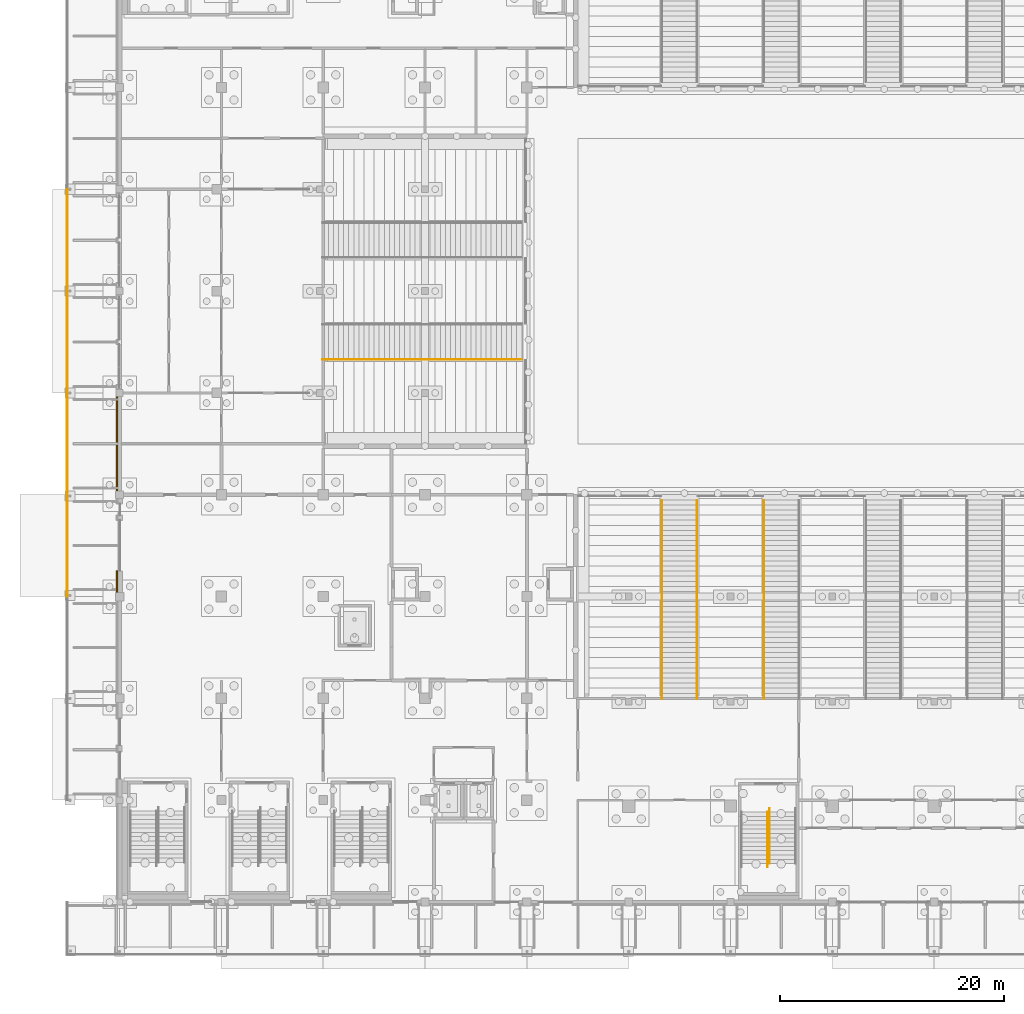
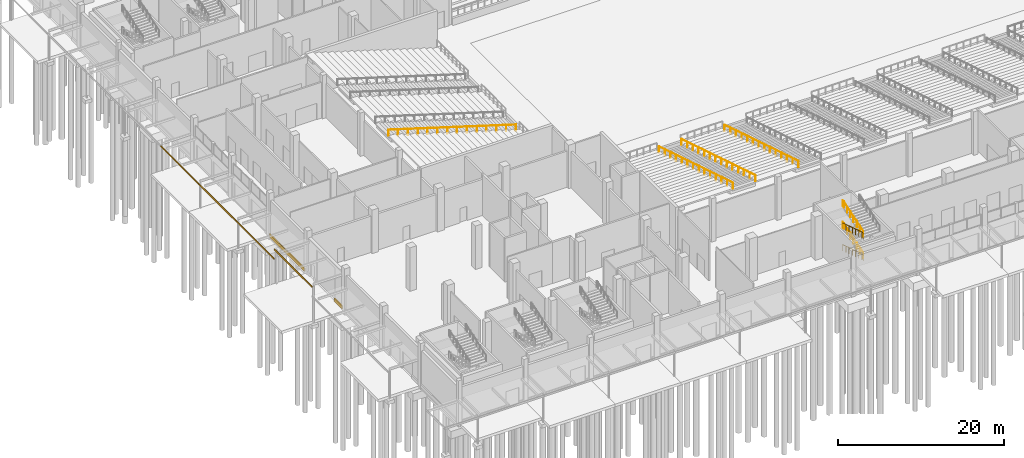
# One storey, part 103 of 129: 8 railings, 6 coverings.
"""IFC4 building model written with IfcOpenShell, lengths in metres."""

from ifc_helpers import new_model, si_unit, direction, frame, origin, origin_2d, place, context, subcontext, project, spatial, rectangle, circle, extrude, material, layer, layer_set, type_object, element, save


model = new_model("IFC4")

# Units and contexts
model_context = context("Model", 3, precision=1e-05, world=origin(), true_north=direction((0.0, 1.0)))
body_context = subcontext(model_context, "Body", "Model", "MODEL_VIEW")
ifc_project = project(units=[si_unit("LENGTHUNIT", "METRE"), si_unit("AREAUNIT", "SQUARE_METRE"), si_unit("VOLUMEUNIT", "CUBIC_METRE"), si_unit("PLANEANGLEUNIT", "RADIAN"), si_unit("MASSUNIT", "GRAM", prefix="KILO")], contexts=[model_context])

# Site, building, storey
site_placement = place(None, origin())
site = spatial("IfcSite", under=ifc_project, at=site_placement, CompositionType="ELEMENT")
building_placement = place(site_placement, origin())
building = spatial("IfcBuilding", under=site, at=building_placement, Name="Shirokan Park Arena", CompositionType="ELEMENT")
storey_placement = place(building_placement, origin())
storey = spatial("IfcBuildingStorey", under=building, at=storey_placement, Name="L00", CompositionType="ELEMENT", Elevation=0.0)

# Railings
ifc_material_1 = material(Name="Stainless steel", Category="steel")
railing_type_1 = type_object("IfcRailingType", Name="Aisle handrail 900", PredefinedType="HANDRAIL", material=ifc_material_1)
railing_1_placement = place(storey_placement, frame((48.489990234375, 35.89501953125, 0.909912109375)))
element("IfcRailing", 1, at=railing_1_placement, inside=storey, type_object=railing_type_1, Name="Handrail vomitory stair S1 lower", PredefinedType="HANDRAIL", context=body_context, shape_type="SweptSolid", body=[
    extrude(circle(Radius=0.02490234375, at=origin_2d()), frame((0.0, 0.0, 0.89013671875), z_axis=(0.0, -0.955745737905, 0.294193957241), x_axis=(1.0, 0.0, 0.0)), (0.0, 0.0, 1.0), 1.42822265625),
    extrude(circle(Radius=0.02490234375, at=origin_2d()), frame((0.0, -1.364990234375, 1.310546875), z_axis=(0.0, -0.95579379257, 0.294037797035), x_axis=(1.0, 0.0, 0.0)), (0.0, 0.0, 1.0), 1.42822265625),
    extrude(circle(Radius=0.02490234375, at=origin_2d()), frame((0.0, -2.72998046875, 1.73046875), z_axis=(0.0, -0.95579379257, 0.294037797035), x_axis=(1.0, 0.0, 0.0)), (0.0, 0.0, 1.0), 1.42822265625),
    extrude(circle(Radius=0.02490234375, at=origin_2d()), frame((0.0, -4.094970703125, 2.150390625), z_axis=(0.0, -0.955745737905, 0.294193957241), x_axis=(1.0, 0.0, 0.0)), (0.0, 0.0, 1.0), 1.42822265625),
    extrude(circle(Radius=0.02490234375, at=origin_2d()), frame((0.0, -5.4599609375, 2.5703125), z_axis=(0.0, -0.95579379257, 0.294037797035), x_axis=(1.0, 0.0, 0.0)), (0.0, 0.0, 1.0), 1.42822265625),
    extrude(circle(Radius=0.02490234375, at=origin_2d()), frame((0.0, -6.824951171875, 2.990234375), z_axis=(0.0, -0.95579379257, 0.294037797035), x_axis=(1.0, 0.0, 0.0)), (0.0, 0.0, 1.0), 1.42822265625),
    extrude(circle(Radius=0.02490234375, at=origin_2d()), frame((0.0, -8.18994140625, 3.41015625), z_axis=(0.0, -0.955745737905, 0.294193957241), x_axis=(1.0, 0.0, 0.0)), (0.0, 0.0, 1.0), 1.42822265625),
    extrude(circle(Radius=0.02490234375, at=origin_2d()), frame((0.0, -9.554931640625, 3.83056640625), z_axis=(0.0, -0.95579379257, 0.294037797035), x_axis=(1.0, 0.0, 0.0)), (0.0, 0.0, 1.0), 1.42822265625),
    extrude(circle(Radius=0.02490234375, at=origin_2d()), frame((0.0, -10.919921875, 4.25048828125), z_axis=(0.0, -0.95579379257, 0.294037797035), x_axis=(1.0, 0.0, 0.0)), (0.0, 0.0, 1.0), 1.42822265625),
    extrude(circle(Radius=0.02490234375, at=origin_2d()), frame((0.0, -12.284912109375, 4.67041015625), z_axis=(0.0, -0.955745737905, 0.294193957241), x_axis=(1.0, 0.0, 0.0)), (0.0, 0.0, 1.0), 1.42822265625),
    extrude(circle(Radius=0.02490234375, at=origin_2d()), frame((0.0, -13.64990234375, 5.09033203125), z_axis=(0.0, -0.955808569173, 0.293989760189), x_axis=(1.0, 0.0, 0.0)), (0.0, 0.0, 1.0), 1.428466796875),
    extrude(circle(Radius=0.02490234375, at=origin_2d()), frame((0.0, -15.01513671875, 5.51025390625), z_axis=(0.0, -0.95579379257, 0.294037797035), x_axis=(1.0, 0.0, 0.0)), (0.0, 0.0, 1.0), 1.42822265625),
    extrude(circle(Radius=0.02490234375, at=origin_2d()), frame((0.0, -16.380126953125, 5.93017578125), z_axis=(0.0, -0.955745737905, 0.294193957241), x_axis=(1.0, 0.0, 0.0)), (0.0, 0.0, 1.0), 1.42822265625),
    extrude(circle(Radius=0.02490234375, at=origin_2d()), origin(), (0.0, 0.0, 1.0), 0.865234375),
    extrude(circle(Radius=0.02490234375, at=origin_2d()), frame((0.0, -1.364990234375, 0.420166015625)), (0.0, 0.0, 1.0), 0.865234375),
    extrude(circle(Radius=0.02490234375, at=origin_2d()), frame((0.0, -2.72998046875, 0.840087890625)), (0.0, 0.0, 1.0), 0.865234375),
    extrude(circle(Radius=0.02490234375, at=origin_2d()), frame((0.0, -4.094970703125, 1.260009765625)), (0.0, 0.0, 1.0), 0.865234375),
    extrude(circle(Radius=0.02490234375, at=origin_2d()), frame((0.0, -5.4599609375, 1.68017578125)), (0.0, 0.0, 1.0), 0.865234375),
    extrude(circle(Radius=0.02490234375, at=origin_2d()), frame((0.0, -6.824951171875, 2.10009765625)), (0.0, 0.0, 1.0), 0.865234375),
    extrude(circle(Radius=0.02490234375, at=origin_2d()), frame((0.0, -8.18994140625, 2.52001953125)), (0.0, 0.0, 1.0), 0.865234375),
    extrude(circle(Radius=0.02490234375, at=origin_2d()), frame((0.0, -9.554931640625, 2.940185546875)), (0.0, 0.0, 1.0), 0.865234375),
    extrude(circle(Radius=0.02490234375, at=origin_2d()), frame((0.0, -10.919921875, 3.360107421875)), (0.0, 0.0, 1.0), 0.865234375),
    extrude(circle(Radius=0.02490234375, at=origin_2d()), frame((0.0, -12.284912109375, 3.780029296875)), (0.0, 0.0, 1.0), 0.865234375),
    extrude(circle(Radius=0.02490234375, at=origin_2d()), frame((0.0, -13.64990234375, 4.2001953125)), (0.0, 0.0, 1.0), 0.865234375),
    extrude(circle(Radius=0.02490234375, at=origin_2d()), frame((0.0, -15.01513671875, 4.6201171875)), (0.0, 0.0, 1.0), 0.865234375),
    extrude(circle(Radius=0.02490234375, at=origin_2d()), frame((0.0, -16.380126953125, 5.0400390625)), (0.0, 0.0, 1.0), 0.865234375),
    extrude(circle(Radius=0.02490234375, at=origin_2d()), frame((0.0, -17.7451171875, 5.460205078125)), (0.0, 0.0, 1.0), 0.865234375),
])
railing_2_placement = place(storey_placement, frame((51.610107421875, 35.89501953125, 0.909912109375)))
element("IfcRailing", 2, at=railing_2_placement, inside=storey, type_object=railing_type_1, Name="Handrail vomitory stair S1 lower", PredefinedType="HANDRAIL", context=body_context, shape_type="SweptSolid", body=[
    extrude(circle(Radius=0.02490234375, at=origin_2d()), frame((0.0, 0.0, 0.89013671875), z_axis=(0.0, -0.955745737905, 0.294193957241), x_axis=(1.0, 0.0, 0.0)), (0.0, 0.0, 1.0), 1.42822265625),
    extrude(circle(Radius=0.02490234375, at=origin_2d()), frame((0.0, -1.364990234375, 1.310546875), z_axis=(0.0, -0.95579379257, 0.294037797035), x_axis=(1.0, 0.0, 0.0)), (0.0, 0.0, 1.0), 1.42822265625),
    extrude(circle(Radius=0.02490234375, at=origin_2d()), frame((0.0, -2.72998046875, 1.73046875), z_axis=(0.0, -0.95579379257, 0.294037797035), x_axis=(1.0, 0.0, 0.0)), (0.0, 0.0, 1.0), 1.42822265625),
    extrude(circle(Radius=0.02490234375, at=origin_2d()), frame((0.0, -4.094970703125, 2.150390625), z_axis=(0.0, -0.955745737905, 0.294193957241), x_axis=(1.0, 0.0, 0.0)), (0.0, 0.0, 1.0), 1.42822265625),
    extrude(circle(Radius=0.02490234375, at=origin_2d()), frame((0.0, -5.4599609375, 2.5703125), z_axis=(0.0, -0.95579379257, 0.294037797035), x_axis=(1.0, 0.0, 0.0)), (0.0, 0.0, 1.0), 1.42822265625),
    extrude(circle(Radius=0.02490234375, at=origin_2d()), frame((0.0, -6.824951171875, 2.990234375), z_axis=(0.0, -0.95579379257, 0.294037797035), x_axis=(1.0, 0.0, 0.0)), (0.0, 0.0, 1.0), 1.42822265625),
    extrude(circle(Radius=0.02490234375, at=origin_2d()), frame((0.0, -8.18994140625, 3.41015625), z_axis=(0.0, -0.955745737905, 0.294193957241), x_axis=(1.0, 0.0, 0.0)), (0.0, 0.0, 1.0), 1.42822265625),
    extrude(circle(Radius=0.02490234375, at=origin_2d()), frame((0.0, -9.554931640625, 3.83056640625), z_axis=(0.0, -0.95579379257, 0.294037797035), x_axis=(1.0, 0.0, 0.0)), (0.0, 0.0, 1.0), 1.42822265625),
    extrude(circle(Radius=0.02490234375, at=origin_2d()), frame((0.0, -10.919921875, 4.25048828125), z_axis=(0.0, -0.95579379257, 0.294037797035), x_axis=(1.0, 0.0, 0.0)), (0.0, 0.0, 1.0), 1.42822265625),
    extrude(circle(Radius=0.02490234375, at=origin_2d()), frame((0.0, -12.284912109375, 4.67041015625), z_axis=(0.0, -0.955745737905, 0.294193957241), x_axis=(1.0, 0.0, 0.0)), (0.0, 0.0, 1.0), 1.42822265625),
    extrude(circle(Radius=0.02490234375, at=origin_2d()), frame((0.0, -13.64990234375, 5.09033203125), z_axis=(0.0, -0.955808569173, 0.293989760189), x_axis=(1.0, 0.0, 0.0)), (0.0, 0.0, 1.0), 1.428466796875),
    extrude(circle(Radius=0.02490234375, at=origin_2d()), frame((0.0, -15.01513671875, 5.51025390625), z_axis=(0.0, -0.95579379257, 0.294037797035), x_axis=(1.0, 0.0, 0.0)), (0.0, 0.0, 1.0), 1.42822265625),
    extrude(circle(Radius=0.02490234375, at=origin_2d()), frame((0.0, -16.380126953125, 5.93017578125), z_axis=(0.0, -0.955745737905, 0.294193957241), x_axis=(1.0, 0.0, 0.0)), (0.0, 0.0, 1.0), 1.42822265625),
    extrude(circle(Radius=0.02490234375, at=origin_2d()), origin(), (0.0, 0.0, 1.0), 0.865234375),
    extrude(circle(Radius=0.02490234375, at=origin_2d()), frame((0.0, -1.364990234375, 0.420166015625)), (0.0, 0.0, 1.0), 0.865234375),
    extrude(circle(Radius=0.02490234375, at=origin_2d()), frame((0.0, -2.72998046875, 0.840087890625)), (0.0, 0.0, 1.0), 0.865234375),
    extrude(circle(Radius=0.02490234375, at=origin_2d()), frame((0.0, -4.094970703125, 1.260009765625)), (0.0, 0.0, 1.0), 0.865234375),
    extrude(circle(Radius=0.02490234375, at=origin_2d()), frame((0.0, -5.4599609375, 1.68017578125)), (0.0, 0.0, 1.0), 0.865234375),
    extrude(circle(Radius=0.02490234375, at=origin_2d()), frame((0.0, -6.824951171875, 2.10009765625)), (0.0, 0.0, 1.0), 0.865234375),
    extrude(circle(Radius=0.02490234375, at=origin_2d()), frame((0.0, -8.18994140625, 2.52001953125)), (0.0, 0.0, 1.0), 0.865234375),
    extrude(circle(Radius=0.02490234375, at=origin_2d()), frame((0.0, -9.554931640625, 2.940185546875)), (0.0, 0.0, 1.0), 0.865234375),
    extrude(circle(Radius=0.02490234375, at=origin_2d()), frame((0.0, -10.919921875, 3.360107421875)), (0.0, 0.0, 1.0), 0.865234375),
    extrude(circle(Radius=0.02490234375, at=origin_2d()), frame((0.0, -12.284912109375, 3.780029296875)), (0.0, 0.0, 1.0), 0.865234375),
    extrude(circle(Radius=0.02490234375, at=origin_2d()), frame((0.0, -13.64990234375, 4.2001953125)), (0.0, 0.0, 1.0), 0.865234375),
    extrude(circle(Radius=0.02490234375, at=origin_2d()), frame((0.0, -15.01513671875, 4.6201171875)), (0.0, 0.0, 1.0), 0.865234375),
    extrude(circle(Radius=0.02490234375, at=origin_2d()), frame((0.0, -16.380126953125, 5.0400390625)), (0.0, 0.0, 1.0), 0.865234375),
    extrude(circle(Radius=0.02490234375, at=origin_2d()), frame((0.0, -17.7451171875, 5.460205078125)), (0.0, 0.0, 1.0), 0.865234375),
])
railing_3_placement = place(storey_placement, frame((57.590087890625, 35.89501953125, 0.909912109375)))
element("IfcRailing", 3, at=railing_3_placement, inside=storey, type_object=railing_type_1, Name="Handrail vomitory stair S2 lower", PredefinedType="HANDRAIL", context=body_context, shape_type="SweptSolid", body=[
    extrude(circle(Radius=0.02490234375, at=origin_2d()), frame((0.0, 0.0, 0.89013671875), z_axis=(0.0, -0.955745737905, 0.294193957241), x_axis=(1.0, 0.0, 0.0)), (0.0, 0.0, 1.0), 1.42822265625),
    extrude(circle(Radius=0.02490234375, at=origin_2d()), frame((0.0, -1.364990234375, 1.310546875), z_axis=(0.0, -0.95579379257, 0.294037797035), x_axis=(1.0, 0.0, 0.0)), (0.0, 0.0, 1.0), 1.42822265625),
    extrude(circle(Radius=0.02490234375, at=origin_2d()), frame((0.0, -2.72998046875, 1.73046875), z_axis=(0.0, -0.95579379257, 0.294037797035), x_axis=(1.0, 0.0, 0.0)), (0.0, 0.0, 1.0), 1.42822265625),
    extrude(circle(Radius=0.02490234375, at=origin_2d()), frame((0.0, -4.094970703125, 2.150390625), z_axis=(0.0, -0.955745737905, 0.294193957241), x_axis=(1.0, 0.0, 0.0)), (0.0, 0.0, 1.0), 1.42822265625),
    extrude(circle(Radius=0.02490234375, at=origin_2d()), frame((0.0, -5.4599609375, 2.5703125), z_axis=(0.0, -0.95579379257, 0.294037797035), x_axis=(1.0, 0.0, 0.0)), (0.0, 0.0, 1.0), 1.42822265625),
    extrude(circle(Radius=0.02490234375, at=origin_2d()), frame((0.0, -6.824951171875, 2.990234375), z_axis=(0.0, -0.95579379257, 0.294037797035), x_axis=(1.0, 0.0, 0.0)), (0.0, 0.0, 1.0), 1.42822265625),
    extrude(circle(Radius=0.02490234375, at=origin_2d()), frame((0.0, -8.18994140625, 3.41015625), z_axis=(0.0, -0.955745737905, 0.294193957241), x_axis=(1.0, 0.0, 0.0)), (0.0, 0.0, 1.0), 1.42822265625),
    extrude(circle(Radius=0.02490234375, at=origin_2d()), frame((0.0, -9.554931640625, 3.83056640625), z_axis=(0.0, -0.95579379257, 0.294037797035), x_axis=(1.0, 0.0, 0.0)), (0.0, 0.0, 1.0), 1.42822265625),
    extrude(circle(Radius=0.02490234375, at=origin_2d()), frame((0.0, -10.919921875, 4.25048828125), z_axis=(0.0, -0.95579379257, 0.294037797035), x_axis=(1.0, 0.0, 0.0)), (0.0, 0.0, 1.0), 1.42822265625),
    extrude(circle(Radius=0.02490234375, at=origin_2d()), frame((0.0, -12.284912109375, 4.67041015625), z_axis=(0.0, -0.955745737905, 0.294193957241), x_axis=(1.0, 0.0, 0.0)), (0.0, 0.0, 1.0), 1.42822265625),
    extrude(circle(Radius=0.02490234375, at=origin_2d()), frame((0.0, -13.64990234375, 5.09033203125), z_axis=(0.0, -0.955808569173, 0.293989760189), x_axis=(1.0, 0.0, 0.0)), (0.0, 0.0, 1.0), 1.428466796875),
    extrude(circle(Radius=0.02490234375, at=origin_2d()), frame((0.0, -15.01513671875, 5.51025390625), z_axis=(0.0, -0.95579379257, 0.294037797035), x_axis=(1.0, 0.0, 0.0)), (0.0, 0.0, 1.0), 1.42822265625),
    extrude(circle(Radius=0.02490234375, at=origin_2d()), frame((0.0, -16.380126953125, 5.93017578125), z_axis=(0.0, -0.955745737905, 0.294193957241), x_axis=(1.0, 0.0, 0.0)), (0.0, 0.0, 1.0), 1.42822265625),
    extrude(circle(Radius=0.02490234375, at=origin_2d()), origin(), (0.0, 0.0, 1.0), 0.865234375),
    extrude(circle(Radius=0.02490234375, at=origin_2d()), frame((0.0, -1.364990234375, 0.420166015625)), (0.0, 0.0, 1.0), 0.865234375),
    extrude(circle(Radius=0.02490234375, at=origin_2d()), frame((0.0, -2.72998046875, 0.840087890625)), (0.0, 0.0, 1.0), 0.865234375),
    extrude(circle(Radius=0.02490234375, at=origin_2d()), frame((0.0, -4.094970703125, 1.260009765625)), (0.0, 0.0, 1.0), 0.865234375),
    extrude(circle(Radius=0.02490234375, at=origin_2d()), frame((0.0, -5.4599609375, 1.68017578125)), (0.0, 0.0, 1.0), 0.865234375),
    extrude(circle(Radius=0.02490234375, at=origin_2d()), frame((0.0, -6.824951171875, 2.10009765625)), (0.0, 0.0, 1.0), 0.865234375),
    extrude(circle(Radius=0.02490234375, at=origin_2d()), frame((0.0, -8.18994140625, 2.52001953125)), (0.0, 0.0, 1.0), 0.865234375),
    extrude(circle(Radius=0.02490234375, at=origin_2d()), frame((0.0, -9.554931640625, 2.940185546875)), (0.0, 0.0, 1.0), 0.865234375),
    extrude(circle(Radius=0.02490234375, at=origin_2d()), frame((0.0, -10.919921875, 3.360107421875)), (0.0, 0.0, 1.0), 0.865234375),
    extrude(circle(Radius=0.02490234375, at=origin_2d()), frame((0.0, -12.284912109375, 3.780029296875)), (0.0, 0.0, 1.0), 0.865234375),
    extrude(circle(Radius=0.02490234375, at=origin_2d()), frame((0.0, -13.64990234375, 4.2001953125)), (0.0, 0.0, 1.0), 0.865234375),
    extrude(circle(Radius=0.02490234375, at=origin_2d()), frame((0.0, -15.01513671875, 4.6201171875)), (0.0, 0.0, 1.0), 0.865234375),
    extrude(circle(Radius=0.02490234375, at=origin_2d()), frame((0.0, -16.380126953125, 5.0400390625)), (0.0, 0.0, 1.0), 0.865234375),
    extrude(circle(Radius=0.02490234375, at=origin_2d()), frame((0.0, -17.7451171875, 5.460205078125)), (0.0, 0.0, 1.0), 0.865234375),
])
railing_4_placement = place(storey_placement, frame((35.89501953125, 48.489990234375, 0.909912109375)))
element("IfcRailing", 4, at=railing_4_placement, inside=storey, type_object=railing_type_1, Name="Handrail vomitory stair W1 lower", PredefinedType="HANDRAIL", context=body_context, shape_type="SweptSolid", body=[
    extrude(circle(Radius=0.02490234375, at=origin_2d()), frame((0.0, 0.0, 0.89013671875), z_axis=(-0.955745737905, 0.0, 0.294193957241), x_axis=(0.0, -1.0, 0.0)), (0.0, 0.0, 1.0), 1.42822265625),
    extrude(circle(Radius=0.02490234375, at=origin_2d()), frame((-1.364990234375, 0.0, 1.310546875), z_axis=(-0.95579379257, 0.0, 0.294037797035), x_axis=(0.0, -1.0, 0.0)), (0.0, 0.0, 1.0), 1.42822265625),
    extrude(circle(Radius=0.02490234375, at=origin_2d()), frame((-2.72998046875, 0.0, 1.73046875), z_axis=(-0.95579379257, 0.0, 0.294037797035), x_axis=(0.0, -1.0, 0.0)), (0.0, 0.0, 1.0), 1.42822265625),
    extrude(circle(Radius=0.02490234375, at=origin_2d()), frame((-4.094970703125, 0.0, 2.150390625), z_axis=(-0.955745737905, 0.0, 0.294193957241), x_axis=(0.0, -1.0, 0.0)), (0.0, 0.0, 1.0), 1.42822265625),
    extrude(circle(Radius=0.02490234375, at=origin_2d()), frame((-5.4599609375, 0.0, 2.5703125), z_axis=(-0.95579379257, 0.0, 0.294037797035), x_axis=(0.0, -1.0, 0.0)), (0.0, 0.0, 1.0), 1.42822265625),
    extrude(circle(Radius=0.02490234375, at=origin_2d()), frame((-6.824951171875, 0.0, 2.990234375), z_axis=(-0.95579379257, 0.0, 0.294037797035), x_axis=(0.0, -1.0, 0.0)), (0.0, 0.0, 1.0), 1.42822265625),
    extrude(circle(Radius=0.02490234375, at=origin_2d()), frame((-8.18994140625, 0.0, 3.41015625), z_axis=(-0.955745737905, 0.0, 0.294193957241), x_axis=(0.0, -1.0, 0.0)), (0.0, 0.0, 1.0), 1.42822265625),
    extrude(circle(Radius=0.02490234375, at=origin_2d()), frame((-9.554931640625, 0.0, 3.83056640625), z_axis=(-0.95579379257, 0.0, 0.294037797035), x_axis=(0.0, -1.0, 0.0)), (0.0, 0.0, 1.0), 1.42822265625),
    extrude(circle(Radius=0.02490234375, at=origin_2d()), frame((-10.919921875, 0.0, 4.25048828125), z_axis=(-0.95579379257, 0.0, 0.294037797035), x_axis=(0.0, -1.0, 0.0)), (0.0, 0.0, 1.0), 1.42822265625),
    extrude(circle(Radius=0.02490234375, at=origin_2d()), frame((-12.284912109375, 0.0, 4.67041015625), z_axis=(-0.955745737905, 0.0, 0.294193957241), x_axis=(0.0, -1.0, 0.0)), (0.0, 0.0, 1.0), 1.42822265625),
    extrude(circle(Radius=0.02490234375, at=origin_2d()), frame((-13.64990234375, 0.0, 5.09033203125), z_axis=(-0.955808569173, 0.0, 0.293989760189), x_axis=(0.0, -1.0, 0.0)), (0.0, 0.0, 1.0), 1.428466796875),
    extrude(circle(Radius=0.02490234375, at=origin_2d()), frame((-15.01513671875, 0.0, 5.51025390625), z_axis=(-0.95579379257, 0.0, 0.294037797035), x_axis=(0.0, -1.0, 0.0)), (0.0, 0.0, 1.0), 1.42822265625),
    extrude(circle(Radius=0.02490234375, at=origin_2d()), frame((-16.380126953125, 0.0, 5.93017578125), z_axis=(-0.955745737905, 0.0, 0.294193957241), x_axis=(0.0, -1.0, 0.0)), (0.0, 0.0, 1.0), 1.42822265625),
    extrude(circle(Radius=0.02490234375, at=origin_2d()), origin(), (0.0, 0.0, 1.0), 0.865234375),
    extrude(circle(Radius=0.02490234375, at=origin_2d()), frame((-1.364990234375, 0.0, 0.420166015625)), (0.0, 0.0, 1.0), 0.865234375),
    extrude(circle(Radius=0.02490234375, at=origin_2d()), frame((-2.72998046875, 0.0, 0.840087890625)), (0.0, 0.0, 1.0), 0.865234375),
    extrude(circle(Radius=0.02490234375, at=origin_2d()), frame((-4.094970703125, 0.0, 1.260009765625)), (0.0, 0.0, 1.0), 0.865234375),
    extrude(circle(Radius=0.02490234375, at=origin_2d()), frame((-5.4599609375, 0.0, 1.68017578125)), (0.0, 0.0, 1.0), 0.865234375),
    extrude(circle(Radius=0.02490234375, at=origin_2d()), frame((-6.824951171875, 0.0, 2.10009765625)), (0.0, 0.0, 1.0), 0.865234375),
    extrude(circle(Radius=0.02490234375, at=origin_2d()), frame((-8.18994140625, 0.0, 2.52001953125)), (0.0, 0.0, 1.0), 0.865234375),
    extrude(circle(Radius=0.02490234375, at=origin_2d()), frame((-9.554931640625, 0.0, 2.940185546875)), (0.0, 0.0, 1.0), 0.865234375),
    extrude(circle(Radius=0.02490234375, at=origin_2d()), frame((-10.919921875, 0.0, 3.360107421875)), (0.0, 0.0, 1.0), 0.865234375),
    extrude(circle(Radius=0.02490234375, at=origin_2d()), frame((-12.284912109375, 0.0, 3.780029296875)), (0.0, 0.0, 1.0), 0.865234375),
    extrude(circle(Radius=0.02490234375, at=origin_2d()), frame((-13.64990234375, 0.0, 4.2001953125)), (0.0, 0.0, 1.0), 0.865234375),
    extrude(circle(Radius=0.02490234375, at=origin_2d()), frame((-15.01513671875, 0.0, 4.6201171875)), (0.0, 0.0, 1.0), 0.865234375),
    extrude(circle(Radius=0.02490234375, at=origin_2d()), frame((-16.380126953125, 0.0, 5.0400390625)), (0.0, 0.0, 1.0), 0.865234375),
    extrude(circle(Radius=0.02490234375, at=origin_2d()), frame((-17.7451171875, 0.0, 5.460205078125)), (0.0, 0.0, 1.0), 0.865234375),
])

# Coverings
ifc_material_2 = material(Name="Timber fascia (cedar)", Category="wood")
ifc_layer_1 = layer(ifc_material_2, 0.050048828125)
ifc_layer_set_1 = layer_set([ifc_layer_1], Name="Timber fascia (cedar) 50 mm")
covering_type_1 = type_object("IfcCoveringType", Name="Canopy fascia 50x250", PredefinedType="CLADDING", material=ifc_layer_set_1)
for number, where, z_axis, x_axis, name in (
    (5, (-4.675048828125, 59.14990234375, 3.5), (0.0, 0.0, 1.0), (0.0, -1.0, 0.0), "Canopy fascia west bay 6"),
    (6, (-4.675048828125, 50.050048828125, 3.5), (0.0, 0.0, 1.0), (0.0, -1.0, 0.0), "Canopy fascia west bay 7"),
    (7, (-4.675048828125, 40.949951171875, 3.5), (0.0, 0.0, 1.0), (0.0, -1.0, 0.0), "Canopy fascia west bay 8"),
    (8, (-4.675048828125, 31.85009765625, 4.89990234375), (0.0, 0.0, 1.0), (0.0, -1.0, 0.0), "Canopy fascia west bay 9"),
):
    element("IfcCovering", number, at=place(storey_placement, frame(where, z_axis=z_axis, x_axis=x_axis)), inside=storey, type_object=covering_type_1, Name=name, PredefinedType="CLADDING", context=body_context, shape_type="SweptSolid", body=[
        extrude(rectangle(XDim=9.10009765625, YDim=0.050048828125, at=origin_2d()), origin(), (0.0, 0.0, 1.0), 0.25),
    ])

# Railings
railing_type_2 = type_object("IfcRailingType", Name="Stair handrail 900", PredefinedType="HANDRAIL", material=ifc_material_1)
railing_5_placement = place(storey_placement, frame((57.909912109375, 8.050048828125, 0.12255859375)))
element("IfcRailing", 9, at=railing_5_placement, inside=storey, type_object=railing_type_2, Name="Handrail Entrance Stair E1.1 L00 to L01", PredefinedType="HANDRAIL", context=body_context, shape_type="SweptSolid", body=[
    extrude(circle(Radius=0.02392578125, at=origin_2d()), frame((0.0, 0.0, 0.8759765625), z_axis=(0.0, -0.952929747917, 0.303191186441), x_axis=(1.0, 0.0, 0.0)), (0.0, 0.0, 1.0), 1.6162109375),
    extrude(circle(Radius=0.02392578125, at=origin_2d()), frame((0.0, -1.5400390625, 1.36572265625), z_axis=(0.0, -0.952929747917, 0.303191186441), x_axis=(1.0, 0.0, 0.0)), (0.0, 0.0, 1.0), 1.6162109375),
    extrude(circle(Radius=0.02392578125, at=origin_2d()), frame((0.0, -3.080078125, 1.85595703125), z_axis=(0.0, -0.952929747917, 0.303191186441), x_axis=(1.0, 0.0, 0.0)), (0.0, 0.0, 1.0), 1.6162109375),
    extrude(circle(Radius=0.02392578125, at=origin_2d()), frame((0.0, -4.6201171875, 2.345703125), z_axis=(0.0, -1.0, 0.0), x_axis=(1.0, 0.0, 0.0)), (0.0, 0.0, 1.0), 0.300048828125),
    extrude(circle(Radius=0.02099609375, at=origin_2d()), origin(), (0.0, 0.0, 1.0), 0.851806640625),
    extrude(circle(Radius=0.02099609375, at=origin_2d()), frame((0.0, -0.77001953125, 0.2451171875)), (0.0, 0.0, 1.0), 0.851806640625),
    extrude(circle(Radius=0.02099609375, at=origin_2d()), frame((0.0, -1.5400390625, 0.489990234375)), (0.0, 0.0, 1.0), 0.851806640625),
    extrude(circle(Radius=0.02099609375, at=origin_2d()), frame((0.0, -2.31005859375, 0.73486328125)), (0.0, 0.0, 1.0), 0.851806640625),
    extrude(circle(Radius=0.02099609375, at=origin_2d()), frame((0.0, -3.080078125, 0.97998046875)), (0.0, 0.0, 1.0), 0.851806640625),
    extrude(circle(Radius=0.02099609375, at=origin_2d()), frame((0.0, -3.85009765625, 1.22509765625)), (0.0, 0.0, 1.0), 0.851806640625),
    extrude(circle(Radius=0.02099609375, at=origin_2d()), frame((0.0, -4.6201171875, 1.469970703125)), (0.0, 0.0, 1.0), 0.851806640625),
    extrude(circle(Radius=0.02099609375, at=origin_2d()), frame((0.0, -4.920166015625, 1.469970703125)), (0.0, 0.0, 1.0), 0.851806640625),
])
railing_6_placement = place(storey_placement, frame((58.090087890625, 3.429931640625, 1.715087890625)))
element("IfcRailing", 10, at=railing_6_placement, inside=storey, type_object=railing_type_2, Name="Handrail Entrance Stair E1.1 L00 to L01", PredefinedType="HANDRAIL", context=body_context, shape_type="SweptSolid", body=[
    extrude(circle(Radius=0.02392578125, at=origin_2d()), frame((0.0, 0.0, 0.8759765625), z_axis=(0.0, 0.952929747917, 0.303191186441), x_axis=(-1.0, 0.0, 0.0)), (0.0, 0.0, 1.0), 1.6162109375),
    extrude(circle(Radius=0.02392578125, at=origin_2d()), frame((0.0, 1.5400390625, 1.36572265625), z_axis=(0.0, 0.952929747917, 0.303191186441), x_axis=(-1.0, 0.0, 0.0)), (0.0, 0.0, 1.0), 1.6162109375),
    extrude(circle(Radius=0.02392578125, at=origin_2d()), frame((0.0, 3.080078125, 1.85595703125), z_axis=(0.0, 0.952929747917, 0.303191186441), x_axis=(-1.0, 0.0, 0.0)), (0.0, 0.0, 1.0), 1.6162109375),
    extrude(circle(Radius=0.02392578125, at=origin_2d()), frame((0.0, 4.6201171875, 2.345703125), z_axis=(0.0, 1.0, 0.0), x_axis=(-1.0, 0.0, 0.0)), (0.0, 0.0, 1.0), 0.300048828125),
    extrude(circle(Radius=0.02099609375, at=origin_2d()), origin(), (0.0, 0.0, 1.0), 0.851806640625),
    extrude(circle(Radius=0.02099609375, at=origin_2d()), frame((0.0, 0.77001953125, 0.2451171875)), (0.0, 0.0, 1.0), 0.851806640625),
    extrude(circle(Radius=0.02099609375, at=origin_2d()), frame((0.0, 1.5400390625, 0.489990234375)), (0.0, 0.0, 1.0), 0.851806640625),
    extrude(circle(Radius=0.02099609375, at=origin_2d()), frame((0.0, 2.31005859375, 0.73486328125)), (0.0, 0.0, 1.0), 0.851806640625),
    extrude(circle(Radius=0.02099609375, at=origin_2d()), frame((0.0, 3.080078125, 0.97998046875)), (0.0, 0.0, 1.0), 0.851806640625),
    extrude(circle(Radius=0.02099609375, at=origin_2d()), frame((0.0, 3.85009765625, 1.22509765625)), (0.0, 0.0, 1.0), 0.851806640625),
    extrude(circle(Radius=0.02099609375, at=origin_2d()), frame((0.0, 4.6201171875, 1.469970703125)), (0.0, 0.0, 1.0), 0.851806640625),
    extrude(circle(Radius=0.02099609375, at=origin_2d()), frame((0.0, 4.920166015625, 1.469970703125)), (0.0, 0.0, 1.0), 0.851806640625),
])
railing_7_placement = place(storey_placement, frame((57.909912109375, 8.050048828125, 3.3076171875)))
element("IfcRailing", 11, at=railing_7_placement, inside=storey, type_object=railing_type_2, Name="Handrail Entrance Stair E1.1 L00 to L01", PredefinedType="HANDRAIL", context=body_context, shape_type="SweptSolid", body=[
    extrude(circle(Radius=0.02392578125, at=origin_2d()), frame((0.0, 0.0, 0.8759765625), z_axis=(0.0, -0.952929747917, 0.303191186441), x_axis=(1.0, 0.0, 0.0)), (0.0, 0.0, 1.0), 1.6162109375),
    extrude(circle(Radius=0.02392578125, at=origin_2d()), frame((0.0, -1.5400390625, 1.36572265625), z_axis=(0.0, -0.952929747917, 0.303191186441), x_axis=(1.0, 0.0, 0.0)), (0.0, 0.0, 1.0), 1.6162109375),
    extrude(circle(Radius=0.02392578125, at=origin_2d()), frame((0.0, -3.080078125, 1.85595703125), z_axis=(0.0, -0.952929747917, 0.303191186441), x_axis=(1.0, 0.0, 0.0)), (0.0, 0.0, 1.0), 1.6162109375),
    extrude(circle(Radius=0.02392578125, at=origin_2d()), frame((0.0, -4.6201171875, 2.345703125), z_axis=(0.0, -1.0, 0.0), x_axis=(1.0, 0.0, 0.0)), (0.0, 0.0, 1.0), 0.300048828125),
    extrude(circle(Radius=0.02099609375, at=origin_2d()), origin(), (0.0, 0.0, 1.0), 0.851806640625),
    extrude(circle(Radius=0.02099609375, at=origin_2d()), frame((0.0, -0.77001953125, 0.2451171875)), (0.0, 0.0, 1.0), 0.851806640625),
    extrude(circle(Radius=0.02099609375, at=origin_2d()), frame((0.0, -1.5400390625, 0.489990234375)), (0.0, 0.0, 1.0), 0.851806640625),
    extrude(circle(Radius=0.02099609375, at=origin_2d()), frame((0.0, -2.31005859375, 0.73486328125)), (0.0, 0.0, 1.0), 0.851806640625),
    extrude(circle(Radius=0.02099609375, at=origin_2d()), frame((0.0, -3.080078125, 0.97998046875)), (0.0, 0.0, 1.0), 0.851806640625),
    extrude(circle(Radius=0.02099609375, at=origin_2d()), frame((0.0, -3.85009765625, 1.22509765625)), (0.0, 0.0, 1.0), 0.851806640625),
    extrude(circle(Radius=0.02099609375, at=origin_2d()), frame((0.0, -4.6201171875, 1.469970703125)), (0.0, 0.0, 1.0), 0.851806640625),
    extrude(circle(Radius=0.02099609375, at=origin_2d()), frame((0.0, -4.920166015625, 1.469970703125)), (0.0, 0.0, 1.0), 0.851806640625),
])
railing_8_placement = place(storey_placement, frame((58.090087890625, 3.429931640625, 4.89990234375)))
element("IfcRailing", 12, at=railing_8_placement, inside=storey, type_object=railing_type_2, Name="Handrail Entrance Stair E1.1 L00 to L01", PredefinedType="HANDRAIL", context=body_context, shape_type="SweptSolid", body=[
    extrude(circle(Radius=0.02392578125, at=origin_2d()), frame((0.0, 0.0, 0.8759765625), z_axis=(0.0, 0.952929747917, 0.303191186441), x_axis=(-1.0, 0.0, 0.0)), (0.0, 0.0, 1.0), 1.6162109375),
    extrude(circle(Radius=0.02392578125, at=origin_2d()), frame((0.0, 1.5400390625, 1.36572265625), z_axis=(0.0, 0.952929747917, 0.303191186441), x_axis=(-1.0, 0.0, 0.0)), (0.0, 0.0, 1.0), 1.6162109375),
    extrude(circle(Radius=0.02392578125, at=origin_2d()), frame((0.0, 3.080078125, 1.85595703125), z_axis=(0.0, 0.952886093821, 0.303328357069), x_axis=(-1.0, 0.0, 0.0)), (0.0, 0.0, 1.0), 1.6162109375),
    extrude(circle(Radius=0.02392578125, at=origin_2d()), frame((0.0, 4.6201171875, 2.34619140625), z_axis=(0.0, 1.0, 0.0), x_axis=(-1.0, 0.0, 0.0)), (0.0, 0.0, 1.0), 0.300048828125),
    extrude(circle(Radius=0.02099609375, at=origin_2d()), origin(), (0.0, 0.0, 1.0), 0.851806640625),
    extrude(circle(Radius=0.02099609375, at=origin_2d()), frame((0.0, 0.77001953125, 0.2451171875)), (0.0, 0.0, 1.0), 0.851806640625),
    extrude(circle(Radius=0.02099609375, at=origin_2d()), frame((0.0, 1.5400390625, 0.489990234375)), (0.0, 0.0, 1.0), 0.851806640625),
    extrude(circle(Radius=0.02099609375, at=origin_2d()), frame((0.0, 2.31005859375, 0.73486328125)), (0.0, 0.0, 1.0), 0.851806640625),
    extrude(circle(Radius=0.02099609375, at=origin_2d()), frame((0.0, 3.080078125, 0.97998046875)), (0.0, 0.0, 1.0), 0.851806640625),
    extrude(circle(Radius=0.02099609375, at=origin_2d()), frame((0.0, 3.85009765625, 1.22509765625)), (0.0, 0.0, 1.0), 0.851806640625),
    extrude(circle(Radius=0.02099609375, at=origin_2d()), frame((0.0, 4.6201171875, 1.47021484375)), (0.0, 0.0, 1.0), 0.851806640625),
    extrude(circle(Radius=0.02099609375, at=origin_2d()), frame((0.0, 4.920166015625, 1.47021484375)), (0.0, 0.0, 1.0), 0.851806640625),
])

# Coverings
ifc_material_3 = material(Name="Natural stone", Category="masonry")
ifc_layer_2 = layer(ifc_material_3, 0.14990234375)
ifc_layer_set_2 = layer_set([ifc_layer_2], Name="Natural stone 150 mm")
covering_type_2 = type_object("IfcCoveringType", Name="Stone plinth 150x450", PredefinedType="CLADDING", material=ifc_layer_set_2)
covering_1_placement = place(storey_placement, frame((-0.22509765625, 40.96240234375, 0.0), z_axis=(0.0, 0.0, 1.0), x_axis=(0.0, -1.0, 0.0)))
element("IfcCovering", 13, at=covering_1_placement, inside=storey, type_object=covering_type_2, Name="Stone plinth west bay 8", PredefinedType="CLADDING", context=body_context, shape_type="SweptSolid", body=[
    extrude(rectangle(XDim=8.425048828125, YDim=0.14990234375, at=origin_2d()), origin(), (0.0, 0.0, 1.0), 0.449951171875),
])
covering_2_placement = place(storey_placement, frame((-0.22509765625, 28.637451171875, 0.0), z_axis=(0.0, 0.0, 1.0), x_axis=(0.0, -1.0, 0.0)))
element("IfcCovering", 14, at=covering_2_placement, inside=storey, type_object=covering_type_2, Name="Stone plinth west bay 9", PredefinedType="CLADDING", context=body_context, shape_type="SweptSolid", body=[
    extrude(rectangle(XDim=1.925048828125, YDim=0.14990234375, at=origin_2d()), origin(), (0.0, 0.0, 1.0), 0.449951171875),
])

save(model, "model.ifc")
